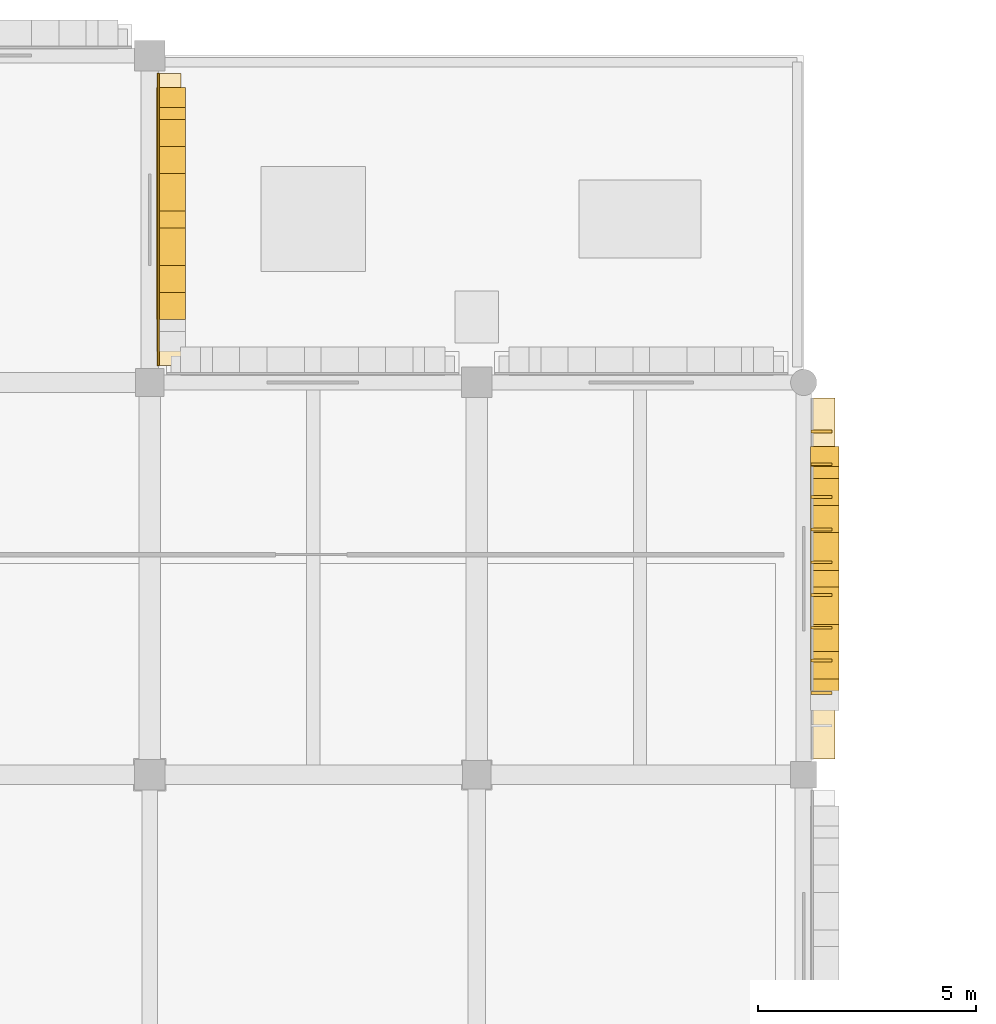
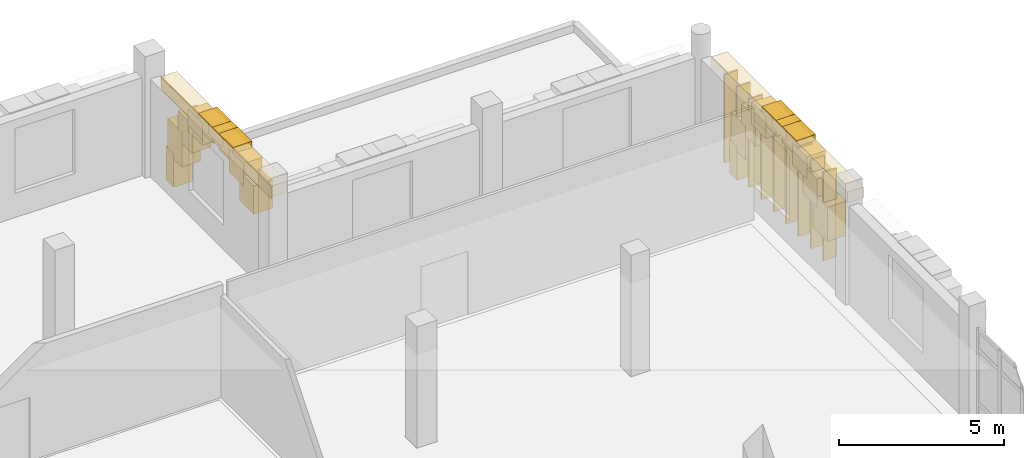
# One storey, part 128 of 128: 22 coverings, 9 shading devices.
"""IFC4 building model written with IfcOpenShell, lengths in metres."""

from ifc_helpers import new_model, si_unit, direction, frame, origin, origin_2d, place, context, subcontext, project, spatial, rectangle, extrude, material, layer, layer_set, type_object, element, save


model = new_model("IFC4")

# Units and contexts
model_context = context("Model", 3, precision=1e-05, world=origin(), true_north=direction((0.0, 1.0)))
body_context = subcontext(model_context, "Body", "Model", "MODEL_VIEW")
ifc_project = project(units=[si_unit("LENGTHUNIT", "METRE"), si_unit("AREAUNIT", "SQUARE_METRE"), si_unit("VOLUMEUNIT", "CUBIC_METRE"), si_unit("PLANEANGLEUNIT", "RADIAN"), si_unit("MASSUNIT", "GRAM", prefix="KILO")], contexts=[model_context])

# Site, building, storey
site_placement = place(None, origin())
site = spatial("IfcSite", under=ifc_project, at=site_placement, CompositionType="ELEMENT")
building_placement = place(site_placement, origin())
building = spatial("IfcBuilding", under=site, at=building_placement, Name="Dalvernix Boulevard General Hospital", CompositionType="ELEMENT")
storey_placement = place(building_placement, frame((0.0, 0.0, 4.800048828125)))
storey = spatial("IfcBuildingStorey", under=building, at=storey_placement, Name="L01", CompositionType="ELEMENT", Elevation=4.800048828125)

# Coverings
ifc_material_1 = material(Name="Pressed Catalan clay brick and dressed limestone parabolic archivolt", Category="masonry")
ifc_layer_1 = layer(ifc_material_1, 0.419921875)
ifc_layer_set_1 = layer_set([ifc_layer_1], Name="Pressed Catalan clay brick and dressed limestone parabolic archivolt (COV-ARC-01)")
covering_type_1 = type_object("IfcCoveringType", Name="COV-ARC-01", PredefinedType="CLADDING", material=ifc_layer_set_1)
covering_1_placement = place(storey_placement, frame((127.985107421875, 116.03759765625, 0.0), z_axis=(0.0, 0.0, 1.0), x_axis=(0.0, -1.0, 0.0)))
element("IfcCovering", 1, at=covering_1_placement, inside=storey, type_object=covering_type_1, Name="L01 Catalan parabolic arch impost pier E 17-14-L", PredefinedType="CLADDING", context=body_context, shape_type="SweptSolid", body=[
    extrude(rectangle(XDim=0.4599609375, YDim=0.659912109375, at=origin_2d()), origin(), (0.0, 0.0, 1.0), 1.25),
])
covering_2_placement = place(storey_placement, frame((127.985107421875, 115.726318359375, 1.06005859375), z_axis=(0.0, 0.0, 1.0), x_axis=(0.0, -1.0, 0.0)))
element("IfcCovering", 2, at=covering_2_placement, inside=storey, type_object=covering_type_1, Name="L01 Catalan parabolic archivolt voussoir E 17-14-1", PredefinedType="CLADDING", context=body_context, shape_type="SweptSolid", body=[
    extrude(rectangle(XDim=0.8623046875, YDim=0.659912109375, at=origin_2d()), origin(), (0.0, 0.0, 1.0), 1.272705078125),
])
covering_3_placement = place(storey_placement, frame((127.985107421875, 115.104248046875, 1.95263671875), z_axis=(0.0, 0.0, 1.0), x_axis=(0.0, -1.0, 0.0)))
element("IfcCovering", 3, at=covering_3_placement, inside=storey, type_object=covering_type_1, Name="L01 Catalan parabolic archivolt voussoir E 17-14-2", PredefinedType="CLADDING", context=body_context, shape_type="SweptSolid", body=[
    extrude(rectangle(XDim=0.8623046875, YDim=0.659912109375, at=origin_2d()), origin(), (0.0, 0.0, 1.0), 1.049560546875),
])
covering_4_placement = place(storey_placement, frame((127.985107421875, 114.48193359375, 2.62255859375), z_axis=(0.0, 0.0, 1.0), x_axis=(0.0, -1.0, 0.0)))
element("IfcCovering", 4, at=covering_4_placement, inside=storey, type_object=covering_type_1, Name="L01 Catalan parabolic archivolt voussoir E 17-14-3", PredefinedType="CLADDING", context=body_context, shape_type="SweptSolid", body=[
    extrude(rectangle(XDim=0.8623046875, YDim=0.659912109375, at=origin_2d()), origin(), (0.0, 0.0, 1.0), 0.826416015625),
])
covering_5_placement = place(storey_placement, frame((127.985107421875, 113.859619140625, 3.06884765625), z_axis=(0.0, 0.0, 1.0), x_axis=(0.0, -1.0, 0.0)))
element("IfcCovering", 5, at=covering_5_placement, inside=storey, type_object=covering_type_1, Name="L01 Catalan parabolic archivolt voussoir E 17-14-4", PredefinedType="CLADDING", context=body_context, shape_type="SweptSolid", body=[
    extrude(rectangle(XDim=0.8623046875, YDim=0.659912109375, at=origin_2d()), origin(), (0.0, 0.0, 1.0), 0.603271484375),
])
covering_6_placement = place(storey_placement, frame((127.985107421875, 113.237548828125, 3.2919921875), z_axis=(0.0, 0.0, 1.0), x_axis=(0.0, -1.0, 0.0)))
element("IfcCovering", 6, at=covering_6_placement, inside=storey, type_object=covering_type_1, Name="L01 Catalan parabolic archivolt voussoir E 17-14-5", PredefinedType="CLADDING", context=body_context, shape_type="SweptSolid", body=[
    extrude(rectangle(XDim=0.8623046875, YDim=0.659912109375, at=origin_2d()), origin(), (0.0, 0.0, 1.0), 0.3798828125),
])
covering_7_placement = place(storey_placement, frame((127.985107421875, 112.615234375, 3.06884765625), z_axis=(0.0, 0.0, 1.0), x_axis=(0.0, -1.0, 0.0)))
element("IfcCovering", 7, at=covering_7_placement, inside=storey, type_object=covering_type_1, Name="L01 Catalan parabolic archivolt voussoir E 17-14-6", PredefinedType="CLADDING", context=body_context, shape_type="SweptSolid", body=[
    extrude(rectangle(XDim=0.8623046875, YDim=0.659912109375, at=origin_2d()), origin(), (0.0, 0.0, 1.0), 0.603271484375),
])
covering_8_placement = place(storey_placement, frame((127.985107421875, 111.9931640625, 2.62255859375), z_axis=(0.0, 0.0, 1.0), x_axis=(0.0, -1.0, 0.0)))
element("IfcCovering", 8, at=covering_8_placement, inside=storey, type_object=covering_type_1, Name="L01 Catalan parabolic archivolt voussoir E 17-14-7", PredefinedType="CLADDING", context=body_context, shape_type="SweptSolid", body=[
    extrude(rectangle(XDim=0.8623046875, YDim=0.659912109375, at=origin_2d()), origin(), (0.0, 0.0, 1.0), 0.826416015625),
])
covering_9_placement = place(storey_placement, frame((127.985107421875, 111.370849609375, 1.95263671875), z_axis=(0.0, 0.0, 1.0), x_axis=(0.0, -1.0, 0.0)))
element("IfcCovering", 9, at=covering_9_placement, inside=storey, type_object=covering_type_1, Name="L01 Catalan parabolic archivolt voussoir E 17-14-8", PredefinedType="CLADDING", context=body_context, shape_type="SweptSolid", body=[
    extrude(rectangle(XDim=0.8623046875, YDim=0.659912109375, at=origin_2d()), origin(), (0.0, 0.0, 1.0), 1.049560546875),
])
covering_10_placement = place(storey_placement, frame((142.985107421875, 107.800048828125, 0.0), z_axis=(0.0, 0.0, 1.0), x_axis=(0.0, -1.0, 0.0)))
element("IfcCovering", 10, at=covering_10_placement, inside=storey, type_object=covering_type_1, Name="L01 Catalan parabolic arch impost pier E 19-13-L", PredefinedType="CLADDING", context=body_context, shape_type="SweptSolid", body=[
    extrude(rectangle(XDim=0.4599609375, YDim=0.659912109375, at=origin_2d()), origin(), (0.0, 0.0, 1.0), 1.25),
])
covering_11_placement = place(storey_placement, frame((142.985107421875, 107.489013671875, 1.06005859375), z_axis=(0.0, 0.0, 1.0), x_axis=(0.0, -1.0, 0.0)))
element("IfcCovering", 11, at=covering_11_placement, inside=storey, type_object=covering_type_1, Name="L01 Catalan parabolic archivolt voussoir E 19-13-1", PredefinedType="CLADDING", context=body_context, shape_type="SweptSolid", body=[
    extrude(rectangle(XDim=0.8623046875, YDim=0.659912109375, at=origin_2d()), origin(), (0.0, 0.0, 1.0), 1.272705078125),
])
covering_12_placement = place(storey_placement, frame((142.985107421875, 106.86669921875, 1.95263671875), z_axis=(0.0, 0.0, 1.0), x_axis=(0.0, -1.0, 0.0)))
element("IfcCovering", 12, at=covering_12_placement, inside=storey, type_object=covering_type_1, Name="L01 Catalan parabolic archivolt voussoir E 19-13-2", PredefinedType="CLADDING", context=body_context, shape_type="SweptSolid", body=[
    extrude(rectangle(XDim=0.8623046875, YDim=0.659912109375, at=origin_2d()), origin(), (0.0, 0.0, 1.0), 1.049560546875),
])
covering_13_placement = place(storey_placement, frame((142.985107421875, 106.244384765625, 2.62255859375), z_axis=(0.0, 0.0, 1.0), x_axis=(0.0, -1.0, 0.0)))
element("IfcCovering", 13, at=covering_13_placement, inside=storey, type_object=covering_type_1, Name="L01 Catalan parabolic archivolt voussoir E 19-13-3", PredefinedType="CLADDING", context=body_context, shape_type="SweptSolid", body=[
    extrude(rectangle(XDim=0.8623046875, YDim=0.659912109375, at=origin_2d()), origin(), (0.0, 0.0, 1.0), 0.826416015625),
])
covering_14_placement = place(storey_placement, frame((142.985107421875, 105.622314453125, 3.06884765625), z_axis=(0.0, 0.0, 1.0), x_axis=(0.0, -1.0, 0.0)))
element("IfcCovering", 14, at=covering_14_placement, inside=storey, type_object=covering_type_1, Name="L01 Catalan parabolic archivolt voussoir E 19-13-4", PredefinedType="CLADDING", context=body_context, shape_type="SweptSolid", body=[
    extrude(rectangle(XDim=0.8623046875, YDim=0.659912109375, at=origin_2d()), origin(), (0.0, 0.0, 1.0), 0.603271484375),
])
covering_15_placement = place(storey_placement, frame((142.985107421875, 105.0, 3.2919921875), z_axis=(0.0, 0.0, 1.0), x_axis=(0.0, -1.0, 0.0)))
element("IfcCovering", 15, at=covering_15_placement, inside=storey, type_object=covering_type_1, Name="L01 Catalan parabolic archivolt voussoir E 19-13-5", PredefinedType="CLADDING", context=body_context, shape_type="SweptSolid", body=[
    extrude(rectangle(XDim=0.8623046875, YDim=0.659912109375, at=origin_2d()), origin(), (0.0, 0.0, 1.0), 0.3798828125),
])
covering_16_placement = place(storey_placement, frame((142.985107421875, 104.377685546875, 3.06884765625), z_axis=(0.0, 0.0, 1.0), x_axis=(0.0, -1.0, 0.0)))
element("IfcCovering", 16, at=covering_16_placement, inside=storey, type_object=covering_type_1, Name="L01 Catalan parabolic archivolt voussoir E 19-13-6", PredefinedType="CLADDING", context=body_context, shape_type="SweptSolid", body=[
    extrude(rectangle(XDim=0.8623046875, YDim=0.659912109375, at=origin_2d()), origin(), (0.0, 0.0, 1.0), 0.603271484375),
])
covering_17_placement = place(storey_placement, frame((142.985107421875, 103.755615234375, 2.62255859375), z_axis=(0.0, 0.0, 1.0), x_axis=(0.0, -1.0, 0.0)))
element("IfcCovering", 17, at=covering_17_placement, inside=storey, type_object=covering_type_1, Name="L01 Catalan parabolic archivolt voussoir E 19-13-7", PredefinedType="CLADDING", context=body_context, shape_type="SweptSolid", body=[
    extrude(rectangle(XDim=0.8623046875, YDim=0.659912109375, at=origin_2d()), origin(), (0.0, 0.0, 1.0), 0.826416015625),
])
covering_18_placement = place(storey_placement, frame((142.985107421875, 103.13330078125, 1.95263671875), z_axis=(0.0, 0.0, 1.0), x_axis=(0.0, -1.0, 0.0)))
element("IfcCovering", 18, at=covering_18_placement, inside=storey, type_object=covering_type_1, Name="L01 Catalan parabolic archivolt voussoir E 19-13-8", PredefinedType="CLADDING", context=body_context, shape_type="SweptSolid", body=[
    extrude(rectangle(XDim=0.8623046875, YDim=0.659912109375, at=origin_2d()), origin(), (0.0, 0.0, 1.0), 1.049560546875),
])
covering_19_placement = place(storey_placement, frame((142.985107421875, 102.510986328125, 1.06005859375), z_axis=(0.0, 0.0, 1.0), x_axis=(0.0, -1.0, 0.0)))
element("IfcCovering", 19, at=covering_19_placement, inside=storey, type_object=covering_type_1, Name="L01 Catalan parabolic archivolt voussoir E 19-13-9", PredefinedType="CLADDING", context=body_context, shape_type="SweptSolid", body=[
    extrude(rectangle(XDim=0.8623046875, YDim=0.659912109375, at=origin_2d()), origin(), (0.0, 0.0, 1.0), 1.272705078125),
])
ifc_material_2 = material(Name="Polychrome Catalan glazed ceramic spandrel tile panel")
ifc_layer_2 = layer(ifc_material_2, 0.044921875)
ifc_layer_set_2 = layer_set([ifc_layer_2], Name="Polychrome Catalan glazed ceramic spandrel tile panel (COV-CLD-01)")
covering_type_2 = type_object("IfcCoveringType", Name="COV-CLD-01", PredefinedType="CLADDING", material=ifc_layer_set_2)
covering_20_placement = place(storey_placement, frame((127.695068359375, 113.237548828125, 3.15478515625), z_axis=(0.0, 0.0, 1.0), x_axis=(0.0, -1.0, 0.0)))
element("IfcCovering", 20, at=covering_20_placement, inside=storey, type_object=covering_type_2, Name="L01 polychrome ceramic spandrel E 17-14", PredefinedType="CLADDING", context=body_context, shape_type="SweptSolid", body=[
    extrude(rectangle(XDim=6.705078125, YDim=0.044921875, at=origin_2d()), origin(), (0.0, 0.0, 1.0), 0.449951171875),
])
ifc_material_3 = material(Name="Dressed ochre limestone classical plinth, stringcourse and corbelled cornice", Category="masonry")
ifc_layer_3 = layer(ifc_material_3, 0.449951171875)
ifc_layer_set_3 = layer_set([ifc_layer_3], Name="Dressed ochre limestone classical plinth, stringcourse and corbelled cornice (COV-CRN-01)")
covering_type_3 = type_object("IfcCoveringType", Name="COV-CRN-01", PredefinedType="CLADDING", material=ifc_layer_set_3)
covering_21_placement = place(storey_placement, frame((127.93505859375, 113.237548828125, 3.22998046875), z_axis=(0.0, 0.0, 1.0), x_axis=(0.0, -1.0, 0.0)))
element("IfcCovering", 21, at=covering_21_placement, inside=storey, type_object=covering_type_3, Name="L01 classical corbelled cornice frieze E 17-14", PredefinedType="CLADDING", context=body_context, shape_type="SweptSolid", body=[
    extrude(rectangle(XDim=6.705078125, YDim=0.56005859375, at=origin_2d()), origin(), (0.0, 0.0, 1.0), 0.39990234375),
])
covering_22_placement = place(storey_placement, frame((142.93505859375, 105.0, 3.22998046875), z_axis=(0.0, 0.0, 1.0), x_axis=(0.0, -1.0, 0.0)))
element("IfcCovering", 22, at=covering_22_placement, inside=storey, type_object=covering_type_3, Name="L01 classical corbelled cornice frieze E 19-13", PredefinedType="CLADDING", context=body_context, shape_type="SweptSolid", body=[
    extrude(rectangle(XDim=8.280029296875, YDim=0.56005859375, at=origin_2d()), origin(), (0.0, 0.0, 1.0), 0.39990234375),
])

# Shading devices
ifc_material_4 = material(Name="Preservative-treated West African iroko timber", Category="wood")
shading_device_type = type_object("IfcShadingDeviceType", Name="SHD-FIN-01", PredefinedType="USERDEFINED", material=ifc_material_4)
for number, where, z_axis, x_axis, name in (
    (23, (142.905029296875, 108.375, 0.1748046875), (0.0, 0.0, 1.0), (0.0, -1.0, 0.0), "L01 iroko brise-soleil fin 1"),
    (24, (142.905029296875, 107.625, 0.1748046875), (0.0, 0.0, 1.0), (0.0, -1.0, 0.0), "L01 iroko brise-soleil fin 2"),
    (25, (142.905029296875, 106.875, 0.1748046875), (0.0, 0.0, 1.0), (0.0, -1.0, 0.0), "L01 iroko brise-soleil fin 3"),
    (26, (142.905029296875, 106.125, 0.1748046875), (0.0, 0.0, 1.0), (0.0, -1.0, 0.0), "L01 iroko brise-soleil fin 4"),
    (27, (142.905029296875, 105.375, 0.1748046875), (0.0, 0.0, 1.0), (0.0, -1.0, 0.0), "L01 iroko brise-soleil fin 5"),
    (28, (142.905029296875, 104.625, 0.1748046875), (0.0, 0.0, 1.0), (0.0, -1.0, 0.0), "L01 iroko brise-soleil fin 6"),
    (29, (142.905029296875, 103.875, 0.1748046875), (0.0, 0.0, 1.0), (0.0, -1.0, 0.0), "L01 iroko brise-soleil fin 7"),
    (30, (142.905029296875, 103.125, 0.1748046875), (0.0, 0.0, 1.0), (0.0, -1.0, 0.0), "L01 iroko brise-soleil fin 8"),
    (31, (142.905029296875, 102.375, 0.1748046875), (0.0, 0.0, 1.0), (0.0, -1.0, 0.0), "L01 iroko brise-soleil fin 9"),
):
    element("IfcShadingDevice", number, at=place(storey_placement, frame(where, z_axis=z_axis, x_axis=x_axis)), inside=storey, type_object=shading_device_type, Name=name, ObjectType="FIN", PredefinedType="USERDEFINED", context=body_context, shape_type="SweptSolid", body=[
        extrude(rectangle(XDim=0.06494140625, YDim=0.47998046875, at=origin_2d()), origin(), (0.0, 0.0, 1.0), 3.280029296875),
    ])

save(model, "model.ifc")
